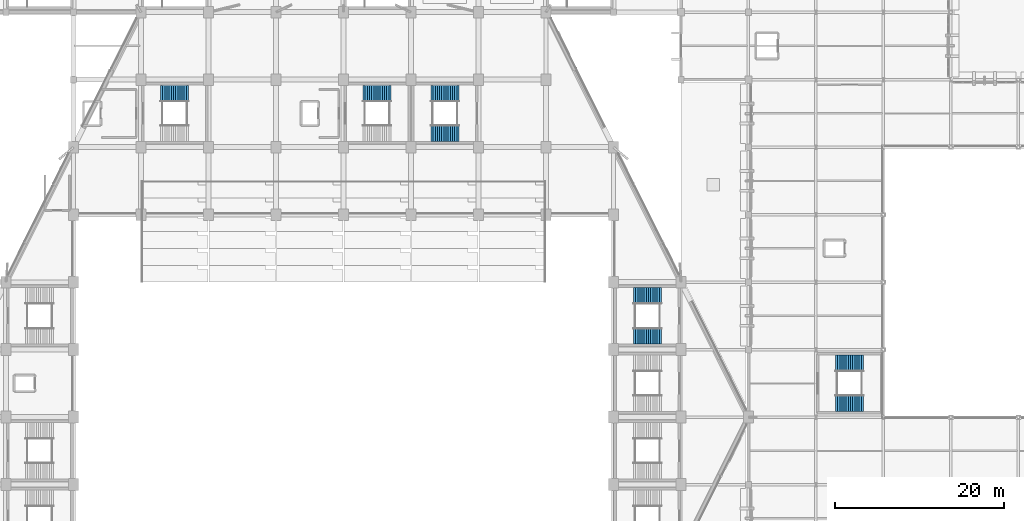
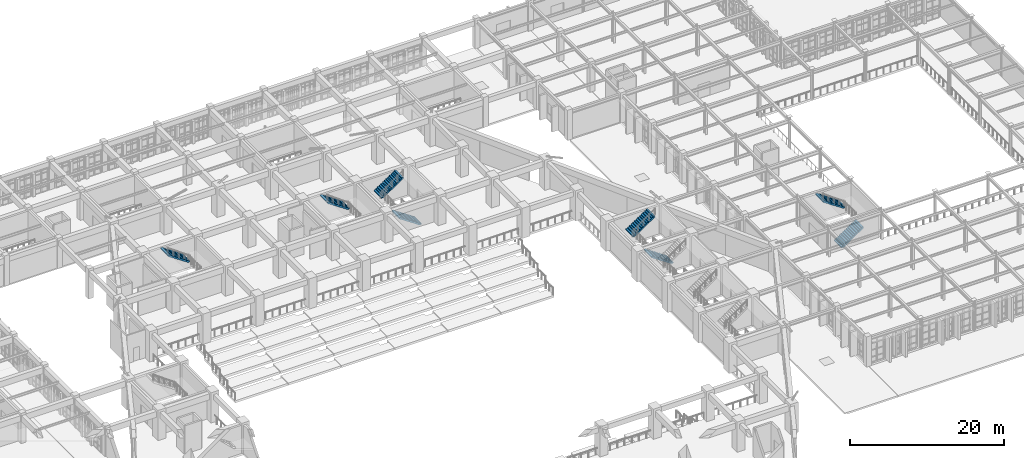
# One storey, part 142 of 155: 8 stair flights, 5 elements without a shape of their own.
"""IFC4 building model written with IfcOpenShell, lengths in metres."""

from ifc_helpers import new_model, si_unit, direction, frame, origin, place, context, subcontext, project, spatial, polyline, outline, extrude, material, type_object, element, aggregate, save


model = new_model("IFC4")

# Units and contexts
model_context = context("Model", 3, precision=1e-05, world=origin(), true_north=direction((0.0, 1.0)))
body_context = subcontext(model_context, "Body", "Model", "MODEL_VIEW")
ifc_project = project(units=[si_unit("LENGTHUNIT", "METRE"), si_unit("AREAUNIT", "SQUARE_METRE"), si_unit("VOLUMEUNIT", "CUBIC_METRE"), si_unit("PLANEANGLEUNIT", "RADIAN"), si_unit("MASSUNIT", "GRAM", prefix="KILO")], contexts=[model_context])

# Site, building, storey
site_placement = place(None, origin())
site = spatial("IfcSite", under=ifc_project, at=site_placement, CompositionType="ELEMENT")
building_placement = place(site_placement, origin())
building = spatial("IfcBuilding", under=site, at=building_placement, Name="Tazarka Park Arena", CompositionType="ELEMENT")
storey_placement = place(building_placement, frame((0.0, 0.0, 5.39990234375)))
storey = spatial("IfcBuildingStorey", under=building, at=storey_placement, Name="L01", CompositionType="ELEMENT", Elevation=5.39990234375)

# Stair, stair flights
ifc_material_1 = material(Name="Precast concrete C40/50", Category="concrete")
stair_type_1 = type_object("IfcStairType", Name="STR-2400", PredefinedType="HALF_TURN_STAIR", material=ifc_material_1)
stair_1_placement = place(storey_placement, origin())
stair_1 = element("IfcStair", 1, at=stair_1_placement, inside=storey, type_object=stair_type_1, Name="Stair ST10 L01", PredefinedType="HALF_TURN_STAIR")
ifc_material_2 = material(Name="Precast concrete C40/50", Category="concrete")
stair_flight_type_1 = type_object("IfcStairFlightType", Name="FLT-1350", PredefinedType="STRAIGHT", material=ifc_material_2)
stair_flight_1_placement = place(storey_placement, frame((101.68505859375, 97.6298828125, 0.0), z_axis=(0.0, 0.0, 1.0), x_axis=(-1.0, 0.0, 0.0)))
stair_flight_1 = element("IfcStairFlight", 2, at=stair_flight_1_placement, type_object=stair_flight_type_1, Name="ST10-L01 flight 1", NumberOfRisers=14, NumberOfTreads=13, PredefinedType="STRAIGHT", RiserHeight=0.171429, TreadLength=0.255, context=body_context, shape_type="SweptSolid", body=[
    extrude(outline(polyline([(0.0, 0.0), (0.0, 0.17138671875), (0.2548828125, 0.17138671875), (0.2548828125, 0.3427734375), (0.510009765625, 0.3427734375), (0.510009765625, 0.514404296875), (0.764892578125, 0.514404296875), (0.764892578125, 0.685791015625), (1.02001953125, 0.685791015625), (1.02001953125, 0.857177734375), (1.27490234375, 0.857177734375), (1.27490234375, 1.028564453125), (1.530029296875, 1.028564453125), (1.530029296875, 1.199951171875), (1.784912109375, 1.199951171875), (1.784912109375, 1.371337890625), (2.0400390625, 1.371337890625), (2.0400390625, 1.54296875), (2.294921875, 1.54296875), (2.294921875, 1.71435546875), (2.550048828125, 1.71435546875), (2.550048828125, 1.8857421875), (2.804931640625, 1.8857421875), (2.804931640625, 2.05712890625), (3.06005859375, 2.05712890625), (3.06005859375, 2.228515625), (3.31494140625, 2.228515625), (3.31494140625, 2.39990234375), (3.31494140625, 2.01171875), (0.322509765625, 0.0), (0.0, 0.0)])), frame((0.0, 0.969970703125, 0.0), z_axis=(0.0, -1.0, 0.0), x_axis=(1.0, 0.0, 0.0)), (0.0, 0.0, 1.0), 1.93994140625),
])
stair_flight_2_placement = place(storey_placement, frame((98.3701171875, 102.3701171875, 2.400146484375), z_axis=(0.0, 0.0, 1.0), x_axis=(1.0, 0.0, 0.0)))
stair_flight_2 = element("IfcStairFlight", 3, at=stair_flight_2_placement, type_object=stair_flight_type_1, Name="ST10-L01 flight 2", NumberOfRisers=14, NumberOfTreads=13, PredefinedType="STRAIGHT", RiserHeight=0.171429, TreadLength=0.255, context=body_context, shape_type="SweptSolid", body=[
    extrude(outline(polyline([(0.0, 0.0), (0.0, 0.17138671875), (0.2548828125, 0.17138671875), (0.2548828125, 0.3427734375), (0.510009765625, 0.3427734375), (0.510009765625, 0.514404296875), (0.764892578125, 0.514404296875), (0.764892578125, 0.685791015625), (1.02001953125, 0.685791015625), (1.02001953125, 0.857177734375), (1.27490234375, 0.857177734375), (1.27490234375, 1.028564453125), (1.530029296875, 1.028564453125), (1.530029296875, 1.199951171875), (1.784912109375, 1.199951171875), (1.784912109375, 1.371337890625), (2.0400390625, 1.371337890625), (2.0400390625, 1.54296875), (2.294921875, 1.54296875), (2.294921875, 1.71435546875), (2.550048828125, 1.71435546875), (2.550048828125, 1.8857421875), (2.804931640625, 1.8857421875), (2.804931640625, 2.05712890625), (3.06005859375, 2.05712890625), (3.06005859375, 2.228515625), (3.31494140625, 2.228515625), (3.31494140625, 2.39990234375), (3.31494140625, 2.01171875), (0.322509765625, 0.0), (0.0, 0.0)])), frame((0.0, 0.969970703125, 0.0), z_axis=(0.0, -1.0, 0.0), x_axis=(1.0, 0.0, 0.0)), (0.0, 0.0, 1.0), 1.93994140625),
])
aggregate(stair_1, [stair_flight_1, stair_flight_2])

# Stair, stair flight
stair_2_placement = place(storey_placement, origin())
stair_2 = element("IfcStair", 4, at=stair_2_placement, inside=storey, type_object=stair_type_1, Name="Stair ST14 L01", PredefinedType="HALF_TURN_STAIR")
stair_flight_3_placement = place(storey_placement, frame((69.6298828125, 102.3701171875, 2.400146484375), z_axis=(0.0, 0.0, 1.0), x_axis=(-1.0, 0.0, 0.0)))
stair_flight_3 = element("IfcStairFlight", 5, at=stair_flight_3_placement, type_object=stair_flight_type_1, Name="ST14-L01 flight 2", NumberOfRisers=14, NumberOfTreads=13, PredefinedType="STRAIGHT", RiserHeight=0.171429, TreadLength=0.255, context=body_context, shape_type="SweptSolid", body=[
    extrude(outline(polyline([(0.0, 0.0), (0.0, 0.17138671875), (0.2548828125, 0.17138671875), (0.2548828125, 0.3427734375), (0.510009765625, 0.3427734375), (0.510009765625, 0.514404296875), (0.764892578125, 0.514404296875), (0.764892578125, 0.685791015625), (1.02001953125, 0.685791015625), (1.02001953125, 0.857177734375), (1.27490234375, 0.857177734375), (1.27490234375, 1.028564453125), (1.530029296875, 1.028564453125), (1.530029296875, 1.199951171875), (1.784912109375, 1.199951171875), (1.784912109375, 1.371337890625), (2.0400390625, 1.371337890625), (2.0400390625, 1.54296875), (2.294921875, 1.54296875), (2.294921875, 1.71435546875), (2.550048828125, 1.71435546875), (2.550048828125, 1.8857421875), (2.804931640625, 1.8857421875), (2.804931640625, 2.05712890625), (3.06005859375, 2.05712890625), (3.06005859375, 2.228515625), (3.31494140625, 2.228515625), (3.31494140625, 2.39990234375), (3.31494140625, 2.01171875), (0.322509765625, 0.0), (0.0, 0.0)])), frame((0.0, 0.969970703125, 0.0), z_axis=(0.0, -1.0, 0.0), x_axis=(1.0, 0.0, 0.0)), (0.0, 0.0, 1.0), 1.93994140625),
])
aggregate(stair_2, [stair_flight_3])

stair_3_placement = place(storey_placement, origin())
stair_3 = element("IfcStair", 6, at=stair_3_placement, inside=storey, type_object=stair_type_1, Name="Stair ST15 L01", PredefinedType="HALF_TURN_STAIR")
stair_flight_4_placement = place(storey_placement, frame((93.6298828125, 102.3701171875, 2.400146484375), z_axis=(0.0, 0.0, 1.0), x_axis=(-1.0, 0.0, 0.0)))
stair_flight_4 = element("IfcStairFlight", 7, at=stair_flight_4_placement, type_object=stair_flight_type_1, Name="ST15-L01 flight 2", NumberOfRisers=14, NumberOfTreads=13, PredefinedType="STRAIGHT", RiserHeight=0.171429, TreadLength=0.255, context=body_context, shape_type="SweptSolid", body=[
    extrude(outline(polyline([(0.0, 0.0), (0.0, 0.17138671875), (0.2548828125, 0.17138671875), (0.2548828125, 0.3427734375), (0.510009765625, 0.3427734375), (0.510009765625, 0.514404296875), (0.764892578125, 0.514404296875), (0.764892578125, 0.685791015625), (1.02001953125, 0.685791015625), (1.02001953125, 0.857177734375), (1.27490234375, 0.857177734375), (1.27490234375, 1.028564453125), (1.530029296875, 1.028564453125), (1.530029296875, 1.199951171875), (1.784912109375, 1.199951171875), (1.784912109375, 1.371337890625), (2.0400390625, 1.371337890625), (2.0400390625, 1.54296875), (2.294921875, 1.54296875), (2.294921875, 1.71435546875), (2.550048828125, 1.71435546875), (2.550048828125, 1.8857421875), (2.804931640625, 1.8857421875), (2.804931640625, 2.05712890625), (3.06005859375, 2.05712890625), (3.06005859375, 2.228515625), (3.31494140625, 2.228515625), (3.31494140625, 2.39990234375), (3.31494140625, 2.01171875), (0.322509765625, 0.0), (0.0, 0.0)])), frame((0.0, 0.969970703125, 0.0), z_axis=(0.0, -1.0, 0.0), x_axis=(1.0, 0.0, 0.0)), (0.0, 0.0, 1.0), 1.93994140625),
])
aggregate(stair_3, [stair_flight_4])

# Stair, stair flights
stair_4_placement = place(storey_placement, origin())
stair_4 = element("IfcStair", 8, at=stair_4_placement, inside=storey, type_object=stair_type_1, Name="Stair ST18 L01", PredefinedType="HALF_TURN_STAIR")
stair_flight_5_placement = place(storey_placement, frame((146.31494140625, 65.6298828125, 0.0), z_axis=(0.0, 0.0, 1.0), x_axis=(1.0, 0.0, 0.0)))
stair_flight_5 = element("IfcStairFlight", 9, at=stair_flight_5_placement, type_object=stair_flight_type_1, Name="ST18-L01 flight 1", NumberOfRisers=14, NumberOfTreads=13, PredefinedType="STRAIGHT", RiserHeight=0.171429, TreadLength=0.255, context=body_context, shape_type="SweptSolid", body=[
    extrude(outline(polyline([(0.0, 0.0), (0.0, 0.17138671875), (0.2548828125, 0.17138671875), (0.2548828125, 0.3427734375), (0.510009765625, 0.3427734375), (0.510009765625, 0.514404296875), (0.764892578125, 0.514404296875), (0.764892578125, 0.685791015625), (1.02001953125, 0.685791015625), (1.02001953125, 0.857177734375), (1.27490234375, 0.857177734375), (1.27490234375, 1.028564453125), (1.530029296875, 1.028564453125), (1.530029296875, 1.199951171875), (1.784912109375, 1.199951171875), (1.784912109375, 1.371337890625), (2.0400390625, 1.371337890625), (2.0400390625, 1.54296875), (2.294921875, 1.54296875), (2.294921875, 1.71435546875), (2.550048828125, 1.71435546875), (2.550048828125, 1.8857421875), (2.804931640625, 1.8857421875), (2.804931640625, 2.05712890625), (3.06005859375, 2.05712890625), (3.06005859375, 2.228515625), (3.31494140625, 2.228515625), (3.31494140625, 2.39990234375), (3.31494140625, 2.01171875), (0.322509765625, 0.0), (0.0, 0.0)])), frame((0.0, 0.969970703125, 0.0), z_axis=(0.0, -1.0, 0.0), x_axis=(1.0, 0.0, 0.0)), (0.0, 0.0, 1.0), 1.93994140625),
])
stair_flight_6_placement = place(storey_placement, frame((149.6298828125, 70.3701171875, 2.400146484375), z_axis=(0.0, 0.0, 1.0), x_axis=(-1.0, 0.0, 0.0)))
stair_flight_6 = element("IfcStairFlight", 10, at=stair_flight_6_placement, type_object=stair_flight_type_1, Name="ST18-L01 flight 2", NumberOfRisers=14, NumberOfTreads=13, PredefinedType="STRAIGHT", RiserHeight=0.171429, TreadLength=0.255, context=body_context, shape_type="SweptSolid", body=[
    extrude(outline(polyline([(0.0, 0.0), (0.0, 0.17138671875), (0.2548828125, 0.17138671875), (0.2548828125, 0.3427734375), (0.510009765625, 0.3427734375), (0.510009765625, 0.514404296875), (0.764892578125, 0.514404296875), (0.764892578125, 0.685791015625), (1.02001953125, 0.685791015625), (1.02001953125, 0.857177734375), (1.27490234375, 0.857177734375), (1.27490234375, 1.028564453125), (1.530029296875, 1.028564453125), (1.530029296875, 1.199951171875), (1.784912109375, 1.199951171875), (1.784912109375, 1.371337890625), (2.0400390625, 1.371337890625), (2.0400390625, 1.54296875), (2.294921875, 1.54296875), (2.294921875, 1.71435546875), (2.550048828125, 1.71435546875), (2.550048828125, 1.8857421875), (2.804931640625, 1.8857421875), (2.804931640625, 2.05712890625), (3.06005859375, 2.05712890625), (3.06005859375, 2.228515625), (3.31494140625, 2.228515625), (3.31494140625, 2.39990234375), (3.31494140625, 2.01171875), (0.322509765625, 0.0), (0.0, 0.0)])), frame((0.0, 0.969970703125, 0.0), z_axis=(0.0, -1.0, 0.0), x_axis=(1.0, 0.0, 0.0)), (0.0, 0.0, 1.0), 1.93994140625),
])
aggregate(stair_4, [stair_flight_5, stair_flight_6])

ifc_material_3 = material(Name="Precast concrete C40/50", Category="concrete")
stair_type_2 = type_object("IfcStairType", Name="STR-1800", PredefinedType="HALF_TURN_STAIR", material=ifc_material_3)
stair_5_placement = place(storey_placement, origin())
stair_5 = element("IfcStair", 11, at=stair_5_placement, inside=storey, type_object=stair_type_2, Name="Vomitory Stair ST22 L01", PredefinedType="HALF_TURN_STAIR")
ifc_material_4 = material(Name="Precast concrete C40/50", Category="concrete")
stair_flight_type_2 = type_object("IfcStairFlightType", Name="FLT-1800", PredefinedType="STRAIGHT", material=ifc_material_4)
stair_flight_7_placement = place(storey_placement, frame((125.68505859375, 73.610107421875, 0.0), z_axis=(0.0, 0.0, 1.0), x_axis=(-1.0, 0.0, 0.0)))
stair_flight_7 = element("IfcStairFlight", 12, at=stair_flight_7_placement, type_object=stair_flight_type_2, Name="ST22-L01 flight 1", NumberOfRisers=14, NumberOfTreads=13, PredefinedType="STRAIGHT", RiserHeight=0.171429, TreadLength=0.255, context=body_context, shape_type="SweptSolid", body=[
    extrude(outline(polyline([(0.0, 0.0), (0.0, 0.17138671875), (0.2548828125, 0.17138671875), (0.2548828125, 0.3427734375), (0.510009765625, 0.3427734375), (0.510009765625, 0.514404296875), (0.764892578125, 0.514404296875), (0.764892578125, 0.685791015625), (1.02001953125, 0.685791015625), (1.02001953125, 0.857177734375), (1.27490234375, 0.857177734375), (1.27490234375, 1.028564453125), (1.530029296875, 1.028564453125), (1.530029296875, 1.199951171875), (1.784912109375, 1.199951171875), (1.784912109375, 1.371337890625), (2.0400390625, 1.371337890625), (2.0400390625, 1.54296875), (2.294921875, 1.54296875), (2.294921875, 1.71435546875), (2.550048828125, 1.71435546875), (2.550048828125, 1.8857421875), (2.804931640625, 1.8857421875), (2.804931640625, 2.05712890625), (3.06005859375, 2.05712890625), (3.06005859375, 2.228515625), (3.31494140625, 2.228515625), (3.31494140625, 2.39990234375), (3.31494140625, 2.01171875), (0.322509765625, 0.0), (0.0, 0.0)])), frame((0.0, 0.949951171875, 0.0), z_axis=(0.0, -1.0, 0.0), x_axis=(1.0, 0.0, 0.0)), (0.0, 0.0, 1.0), 1.89990234375),
])
stair_flight_8_placement = place(storey_placement, frame((122.3701171875, 78.389892578125, 2.400146484375), z_axis=(0.0, 0.0, 1.0), x_axis=(1.0, 0.0, 0.0)))
stair_flight_8 = element("IfcStairFlight", 13, at=stair_flight_8_placement, type_object=stair_flight_type_2, Name="ST22-L01 flight 2", NumberOfRisers=14, NumberOfTreads=13, PredefinedType="STRAIGHT", RiserHeight=0.171429, TreadLength=0.255, context=body_context, shape_type="SweptSolid", body=[
    extrude(outline(polyline([(0.0, 0.0), (0.0, 0.17138671875), (0.2548828125, 0.17138671875), (0.2548828125, 0.3427734375), (0.510009765625, 0.3427734375), (0.510009765625, 0.514404296875), (0.764892578125, 0.514404296875), (0.764892578125, 0.685791015625), (1.02001953125, 0.685791015625), (1.02001953125, 0.857177734375), (1.27490234375, 0.857177734375), (1.27490234375, 1.028564453125), (1.530029296875, 1.028564453125), (1.530029296875, 1.199951171875), (1.784912109375, 1.199951171875), (1.784912109375, 1.371337890625), (2.0400390625, 1.371337890625), (2.0400390625, 1.54296875), (2.294921875, 1.54296875), (2.294921875, 1.71435546875), (2.550048828125, 1.71435546875), (2.550048828125, 1.8857421875), (2.804931640625, 1.8857421875), (2.804931640625, 2.05712890625), (3.06005859375, 2.05712890625), (3.06005859375, 2.228515625), (3.31494140625, 2.228515625), (3.31494140625, 2.39990234375), (3.31494140625, 2.01171875), (0.322509765625, 0.0), (0.0, 0.0)])), frame((0.0, 0.949951171875, 0.0), z_axis=(0.0, -1.0, 0.0), x_axis=(1.0, 0.0, 0.0)), (0.0, 0.0, 1.0), 1.89990234375),
])
aggregate(stair_5, [stair_flight_7, stair_flight_8])

save(model, "model.ifc")
